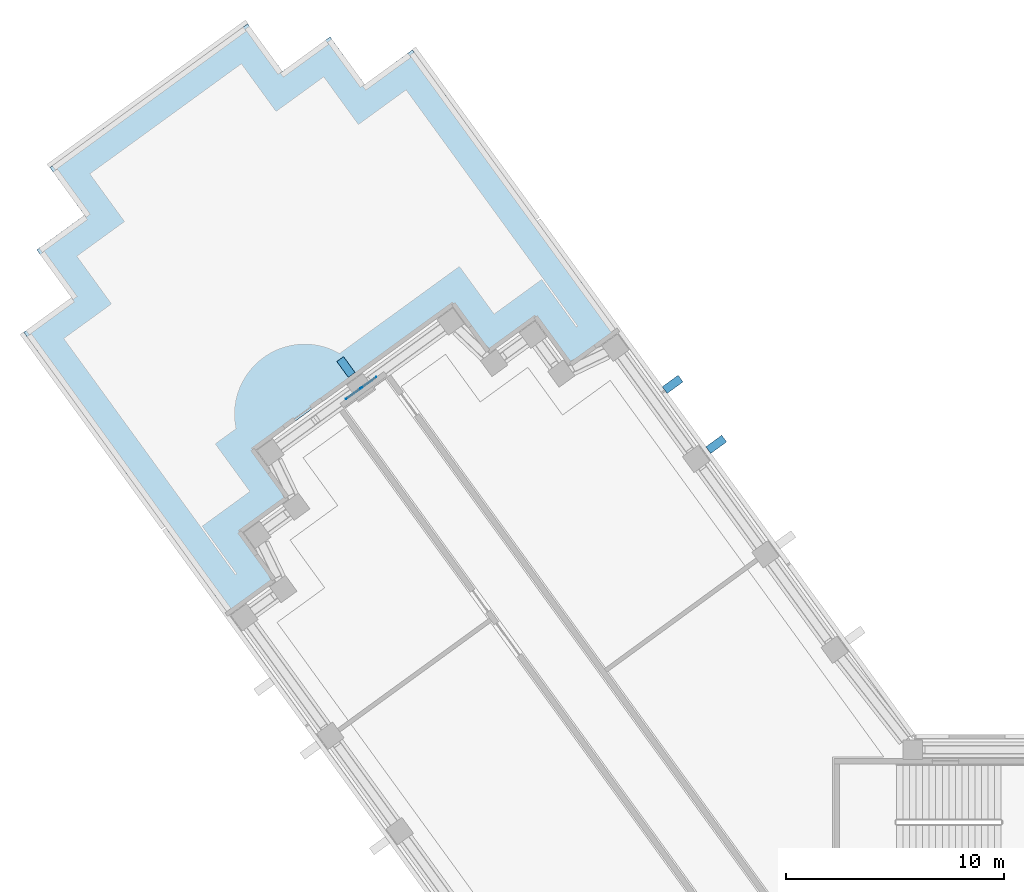
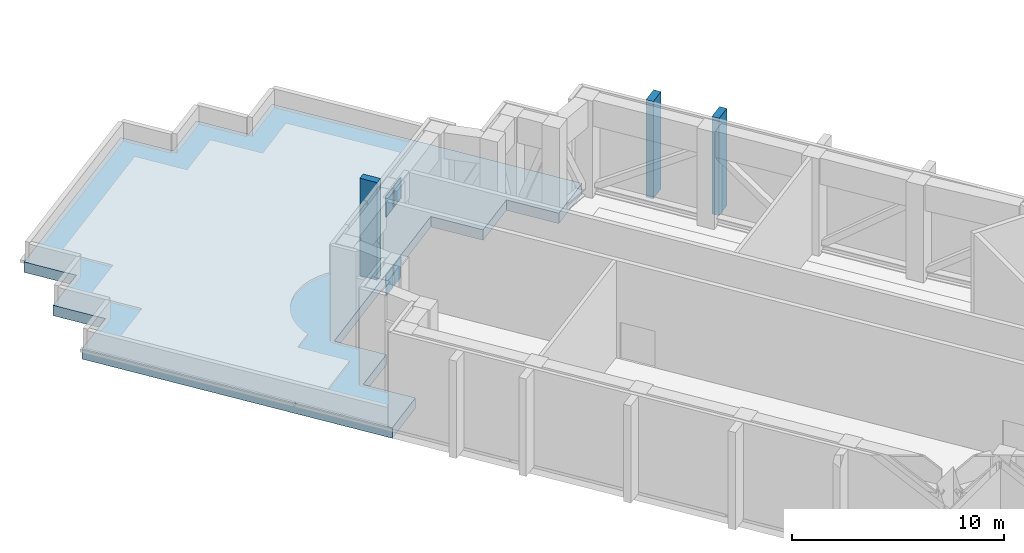
# One storey, part 5 of 16: 7 plates, 1 slab.
"""IFC4 building model written with IfcOpenShell, lengths in metres."""

from ifc_helpers import new_model, si_unit, direction, frame, origin, origin_2d, place, context, subcontext, project, spatial, polyline, rectangle, outline, extrude, material, layer, layer_set, type_object, element, save


model = new_model("IFC4")

# Units and contexts
model_context = context("Model", 3, precision=1e-05, world=origin(), true_north=direction((0.0, 1.0)))
body_context = subcontext(model_context, "Body", "Model", "MODEL_VIEW")
ifc_project = project(units=[si_unit("LENGTHUNIT", "METRE"), si_unit("AREAUNIT", "SQUARE_METRE"), si_unit("VOLUMEUNIT", "CUBIC_METRE"), si_unit("PLANEANGLEUNIT", "RADIAN"), si_unit("MASSUNIT", "GRAM", prefix="KILO")], contexts=[model_context])

# Site, building, storey
site_placement = place(None, origin())
site = spatial("IfcSite", under=ifc_project, at=site_placement, CompositionType="ELEMENT")
building_placement = place(site_placement, origin())
building = spatial("IfcBuilding", under=site, at=building_placement, Name="Quipu Civic Tower", CompositionType="ELEMENT")
storey_placement = place(building_placement, frame((0.0, 0.0, 133.0)))
storey = spatial("IfcBuildingStorey", under=building, at=storey_placement, Name="L31", CompositionType="ELEMENT", Elevation=133.0)

# Plates
ifc_material_1 = material(Name="Steel ASTM A572 Grade 50 (fy 345 MPa)", Category="steel")
ifc_layer_1 = layer(ifc_material_1, 0.030029296875)
ifc_layer_set_1 = layer_set([ifc_layer_1], Name="Steel ASTM A572 Grade 50 (fy 345 MPa)")
plate_type_1 = type_object("IfcPlateType", Name="Cast in plate BC3", PredefinedType="SHEET", material=ifc_layer_set_1)
for number, where, z_axis, x_axis, name in (
    (1, (-39.29736328125, 27.326171875, -0.30322265625), (0.0, 0.0, 1.0), (0.80902725304, 0.587771132193, 0.0), "Cast-in plate BC3 L31 026"),
    (2, (-40.025390625, 26.797119140625, -0.30322265625), (0.0, 0.0, 1.0), (0.80902725304, 0.587771132193, 0.0), "Cast-in plate BC3 L31 029"),
):
    element("IfcPlate", number, at=place(storey_placement, frame(where, z_axis=z_axis, x_axis=x_axis)), inside=storey, type_object=plate_type_1, Name=name, PredefinedType="SHEET", context=body_context, shape_type="SweptSolid", body=[
        extrude(rectangle(XDim=0.800048828125, YDim=0.030029296875, at=origin_2d()), origin(), (0.0, 0.0, 1.0), 1.199951171875),
    ])
ifc_material_2 = material(Name="Steel ASTM A572 Grade 50 (fy 345 MPa)", Category="steel")
ifc_layer_2 = layer(ifc_material_2, 0.030029296875)
ifc_layer_set_2 = layer_set([ifc_layer_2], Name="Steel ASTM A572 Grade 50 (fy 345 MPa)")
plate_type_2 = type_object("IfcPlateType", Name="Cast in plate TC1", PredefinedType="SHEET", material=ifc_layer_set_2)
for number, where, z_axis, x_axis, name in (
    (3, (-39.29736328125, 27.326171875, 4.25), (0.0, 0.0, 1.0), (0.80902725304, 0.587771132193, 0.0), "Cast-in plate TC1 L31 025"),
    (4, (-40.025390625, 26.797119140625, 4.25), (0.0, 0.0, 1.0), (0.80902725304, 0.587771132193, 0.0), "Cast-in plate TC1 L31 028"),
):
    element("IfcPlate", number, at=place(storey_placement, frame(where, z_axis=z_axis, x_axis=x_axis)), inside=storey, type_object=plate_type_2, Name=name, PredefinedType="SHEET", context=body_context, shape_type="SweptSolid", body=[
        extrude(rectangle(XDim=0.800048828125, YDim=0.030029296875, at=origin_2d()), origin(), (0.0, 0.0, 1.0), 1.199951171875),
    ])
ifc_material_3 = material(Name="Precast concrete C40/50", Category="concrete")
plate_type_3 = type_object("IfcPlateType", Name="Precast fin F2", PredefinedType="SHEET", material=ifc_material_3)
for number, where, z_axis, x_axis, name in (
    (5, (-23.401123046875, 24.48095703125, 0.0), (0.0, 0.0, 1.0), (-0.587787133119, 0.809015627871, 0.0), "Precast fin F2 L31.1.3"),
    (6, (-25.398193359375, 27.229736328125, 0.0), (0.0, 0.0, 1.0), (-0.587787133119, 0.809015627871, 0.0), "Precast fin F2 L31.1.4"),
    (7, (-40.359619140625, 28.022705078125, 0.0), (0.0, 0.0, 1.0), (-0.809017072762, -0.587785144401, 0.0), "Precast fin F2 L31.6.1"),
):
    element("IfcPlate", number, at=place(storey_placement, frame(where, z_axis=z_axis, x_axis=x_axis)), inside=storey, type_object=plate_type_3, Name=name, PredefinedType="SHEET", context=body_context, shape_type="SweptSolid", body=[
        extrude(rectangle(XDim=0.3798828125, YDim=0.89990234375, at=origin_2d()), origin(), (0.0, 0.0, 1.0), 5.60009765625),
    ])

# Slab
ifc_material_4 = material(Name="Concrete C40/50", Category="concrete")
ifc_layer_3 = layer(ifc_material_4, 0.60009765625)
ifc_layer_set_3 = layer_set([ifc_layer_3], Name="Concrete C40/50")
slab_type = type_object("IfcSlabType", Name="Roof slab 600 C40/50", PredefinedType="ROOF", material=ifc_layer_set_3)
slab_placement = place(storey_placement, frame((0.0, 0.0, -0.60009765625)))
element("IfcSlab", 8, at=slab_placement, inside=storey, type_object=slab_type, Name="Setback roof slab L31", PredefinedType="ROOF", context=body_context, shape_type="SweptSolid", body=[
    extrude(outline(polyline([(-52.929931640625, 31.205078125), (-54.514892578125, 33.389892578125), (-52.3349609375, 34.97509765625), (-53.919921875, 37.159912109375), (-44.860107421875, 43.739990234375), (-43.27001953125, 41.56005859375), (-41.0849609375, 43.14501953125), (-39.5, 40.9599609375), (-37.31494140625, 42.550048828125), (-27.909912109375, 29.60498046875), (-30.094970703125, 28.014892578125), (-31.68505859375, 30.199951171875), (-33.864990234375, 28.614990234375), (-35.455078125, 30.800048828125), (-44.514892578125, 24.215087890625), (-42.929931640625, 22.030029296875), (-45.114990234375, 20.445068359375), (-43.52490234375, 18.260009765625), (-45.7099609375, 16.669921875), (-55.114990234375, 29.614990234375), (-52.929931640625, 31.205078125)])), origin(), (0.0, 0.0, 1.0), 0.60009765625),
])

save(model, "model.ifc")
